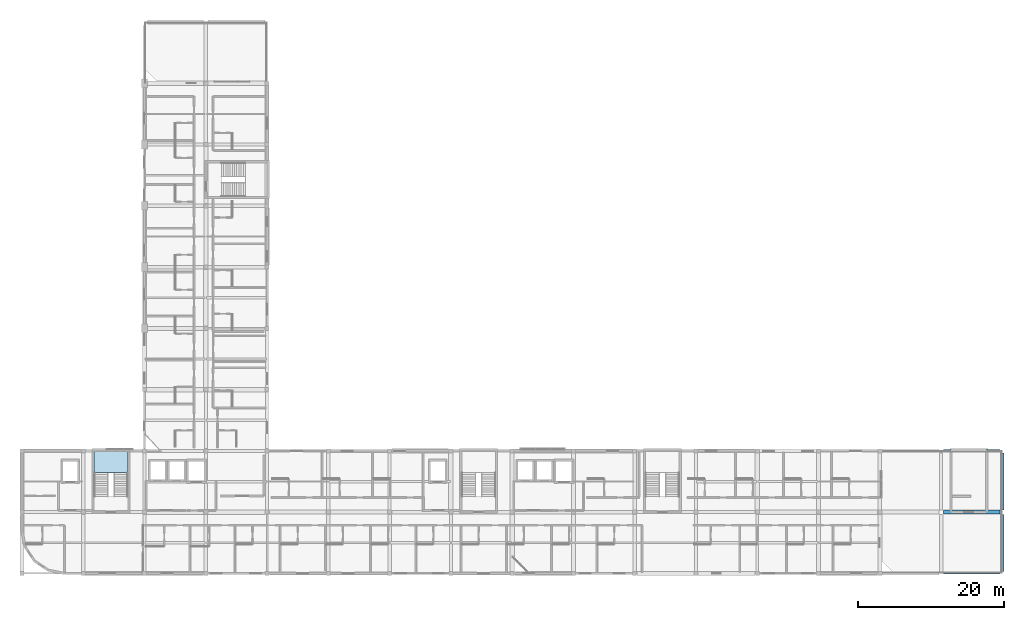
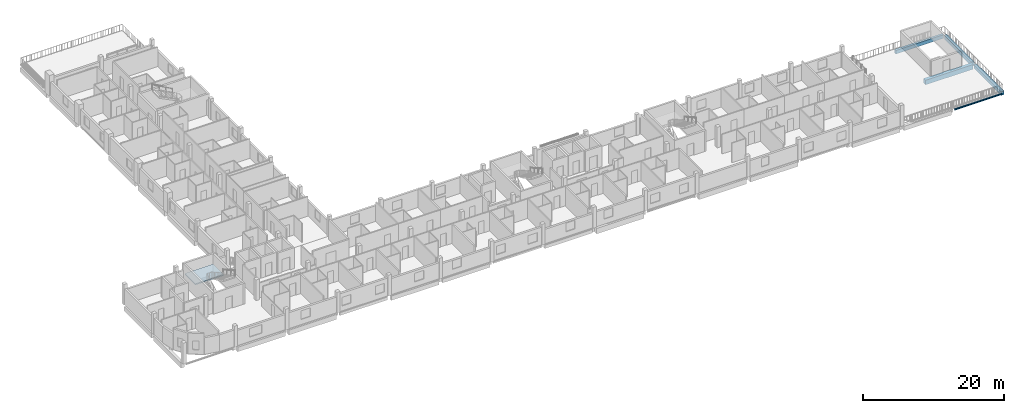
# One storey, part 8 of 26: 5 beams, 1 slab, 1 element without a shape of its own.
"""IFC4 building model written with IfcOpenShell, lengths in metres."""

from ifc_helpers import new_model, si_unit, derived_unit, direction, frame, origin, origin_2d, place, context, subcontext, project, spatial, polyline, rectangle, i_section, outline, extrude, material, layer, layer_set, material_profile, profile_set, type_object, element, aggregate, save


model = new_model("IFC4")

# Units and contexts
model_context = context("Model", 3, precision=1e-05, world=origin(), true_north=direction((0.0, 1.0)))
body_context = subcontext(model_context, "Body", "Model", "MODEL_VIEW")
ifc_project = project(units=[si_unit("LENGTHUNIT", "METRE"), si_unit("AREAUNIT", "SQUARE_METRE"), si_unit("VOLUMEUNIT", "CUBIC_METRE"), si_unit("PLANEANGLEUNIT", "RADIAN"), si_unit("MASSUNIT", "GRAM", prefix="KILO"), derived_unit("THERMALTRANSMITTANCEUNIT", [(si_unit("POWERUNIT", "WATT"), 1), (si_unit("LENGTHUNIT", "METRE"), -2), (si_unit("THERMODYNAMICTEMPERATUREUNIT", "KELVIN"), -1)])], contexts=[model_context])

# Site, building, storey
site_placement = place(None, origin())
site = spatial("IfcSite", under=ifc_project, at=site_placement, CompositionType="ELEMENT")
building_placement = place(site_placement, origin())
building = spatial("IfcBuilding", under=site, at=building_placement, Name="Barrovel Congress Hotel", CompositionType="ELEMENT")
storey_placement = place(building_placement, frame((0.0, 0.0, 32.699951171875)))
storey = spatial("IfcBuildingStorey", under=building, at=storey_placement, Name="L08", CompositionType="ELEMENT", Elevation=32.699951171875)

# Beams
ifc_material_1 = material(Name="Concrete C40", Category="concrete")
ifc_material_profile_1 = material_profile(ifc_material_1, rectangle(XDim=0.39990234375, YDim=0.60009765625, at=origin_2d()), Name="RC400x600")
ifc_profile_set_1 = profile_set([ifc_material_profile_1], Name="Concrete C40")
beam_type_1 = type_object("IfcBeamType", Name="BM-RC400x600", PredefinedType="BEAM", material=ifc_profile_set_1)
beam_1_placement = place(storey_placement, frame((143.10009765625, 21.0, -0.52001953125), z_axis=(1.0, 0.0, 0.0), x_axis=(0.0, 1.0, 0.0)))
element("IfcBeam", 1, at=beam_1_placement, inside=storey, type_object=beam_type_1, Name="BMX:L08:21.0:142.8-151.2", PredefinedType="BEAM", context=body_context, shape_type="SweptSolid", body=[
    extrude(rectangle(XDim=0.39990234375, YDim=0.60009765625, at=origin_2d()), origin(), (0.0, 0.0, 1.0), 7.7998046875),
])
ifc_material_profile_2 = material_profile(ifc_material_1, rectangle(XDim=0.39990234375, YDim=0.699951171875, at=origin_2d()), Name="RC400x700")
ifc_profile_set_2 = profile_set([ifc_material_profile_2], Name="Concrete C40")
beam_type_2 = type_object("IfcBeamType", Name="BM-RC400x700", PredefinedType="BEAM", material=ifc_profile_set_2)
beam_2_placement = place(storey_placement, frame((151.199951171875, 12.89990234375, -0.570068359375), z_axis=(0.0, 1.0, 0.0), x_axis=(-1.0, 0.0, 0.0)))
element("IfcBeam", 2, at=beam_2_placement, inside=storey, type_object=beam_type_2, Name="BMY:L08:151.2:12.6-21.0", PredefinedType="BEAM", context=body_context, shape_type="SweptSolid", body=[
    extrude(rectangle(XDim=0.39990234375, YDim=0.699951171875, at=origin_2d()), origin(), (0.0, 0.0, 1.0), 7.800048828125),
])
ifc_material_profile_3 = material_profile(ifc_material_1, rectangle(XDim=0.449951171875, YDim=0.64990234375, at=origin_2d()), Name="RC450x650")
ifc_profile_set_3 = profile_set([ifc_material_profile_3], Name="Concrete C40")
beam_type_3 = type_object("IfcBeamType", Name="BM-RC450x650", PredefinedType="BEAM", material=ifc_profile_set_3)
beam_3_placement = place(storey_placement, frame((151.199951171875, 4.5, -0.544921875), z_axis=(0.0, 1.0, 0.0), x_axis=(-1.0, 0.0, 0.0)))
element("IfcBeam", 3, at=beam_3_placement, inside=storey, type_object=beam_type_3, Name="BMY:L08:151.2:4.2-12.6", PredefinedType="BEAM", context=body_context, shape_type="SweptSolid", body=[
    extrude(rectangle(XDim=0.449951171875, YDim=0.64990234375, at=origin_2d()), origin(), (0.0, 0.0, 1.0), 7.800048828125),
])
ifc_material_profile_4 = material_profile(ifc_material_1, rectangle(XDim=0.550048828125, YDim=0.800048828125, at=origin_2d()), Name="RC550x800")
ifc_profile_set_4 = profile_set([ifc_material_profile_4], Name="Concrete C40")
beam_type_4 = type_object("IfcBeamType", Name="BM-RC550x800", PredefinedType="BEAM", material=ifc_profile_set_4)
beam_4_placement = place(storey_placement, frame((143.10009765625, 12.60009765625, -0.619873046875), z_axis=(1.0, 0.0, 0.0), x_axis=(0.0, 1.0, 0.0)))
element("IfcBeam", 4, at=beam_4_placement, inside=storey, type_object=beam_type_4, Name="BMX:L08:12.6:142.8-151.2", PredefinedType="BEAM", context=body_context, shape_type="SweptSolid", body=[
    extrude(rectangle(XDim=0.550048828125, YDim=0.800048828125, at=origin_2d()), origin(), (0.0, 0.0, 1.0), 7.7998046875),
])
ifc_material_2 = material(Name="Steel ASTM A992 Grade 50", Category="steel")
ifc_material_profile_5 = material_profile(ifc_material_2, i_section(OverallWidth=0.201904296875, OverallDepth=0.2470703125, WebThickness=0.00732421875, FlangeThickness=0.010986328125, FilletRadius=0.011962890625, at=origin_2d()), Name="W250x49")
ifc_profile_set_5 = profile_set([ifc_material_profile_5], Name="Steel ASTM A992 Grade 50")
beam_type_5 = type_object("IfcBeamType", Name="SBM-W250x49", PredefinedType="SPANDREL", material=ifc_profile_set_5)
beam_5_placement = place(storey_placement, frame((143.10009765625, 4.199951171875, -0.343505859375), z_axis=(1.0, 0.0, 0.0), x_axis=(0.0, 1.0, 0.0)))
element("IfcBeam", 5, at=beam_5_placement, inside=storey, type_object=beam_type_5, Name="BMX:L08:4.2:142.8-151.2", PredefinedType="SPANDREL", context=body_context, shape_type="SweptSolid", body=[
    extrude(i_section(OverallWidth=0.201904296875, OverallDepth=0.2470703125, WebThickness=0.00732421875, FlangeThickness=0.010986328125, FilletRadius=0.011962890625, at=origin_2d()), origin(), (0.0, 0.0, 1.0), 7.7998046875),
])

# Stair, slab
stair_type = type_object("IfcStairType", Name="STR-HT-360", PredefinedType="HALF_TURN_STAIR", material=ifc_material_1)
stair_placement = place(storey_placement, origin())
stair = element("IfcStair", 6, at=stair_placement, inside=storey, type_object=stair_type, Name="Exit Stair XS-01 (L08)", PredefinedType="HALF_TURN_STAIR")
ifc_layer = layer(ifc_material_1, 0.18994140625)
ifc_layer_set = layer_set([ifc_layer], Name="Concrete C40")
slab_type = type_object("IfcSlabType", Name="SL-LDG-190", PredefinedType="LANDING", material=ifc_layer_set)
slab_placement = place(storey_placement, frame((0.0, 0.0, 1.610107421875)))
slab = element("IfcSlab", 7, at=slab_placement, type_object=slab_type, Name="STAIR:XS-01:L08:LDG", PredefinedType="LANDING", context=body_context, shape_type="SweptSolid", body=[
    extrude(outline(polyline([(26.679931640625, 18.010009765625), (31.320068359375, 18.010009765625), (31.320068359375, 21.02001953125), (26.679931640625, 21.02001953125), (26.679931640625, 18.010009765625)])), origin(), (0.0, 0.0, 1.0), 0.18994140625),
])
aggregate(stair, [slab])

save(model, "model.ifc")
